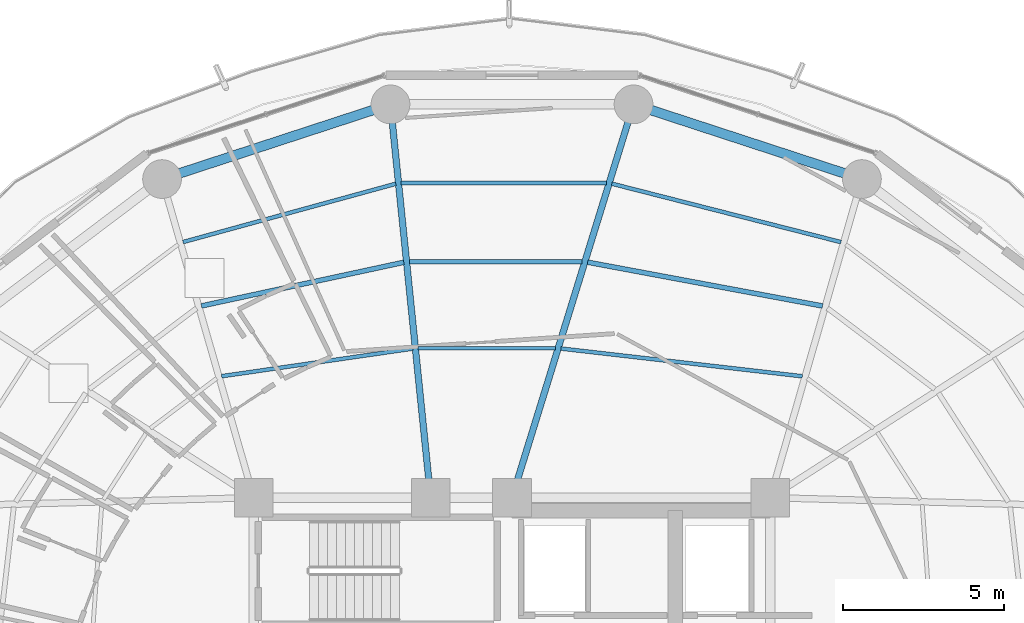
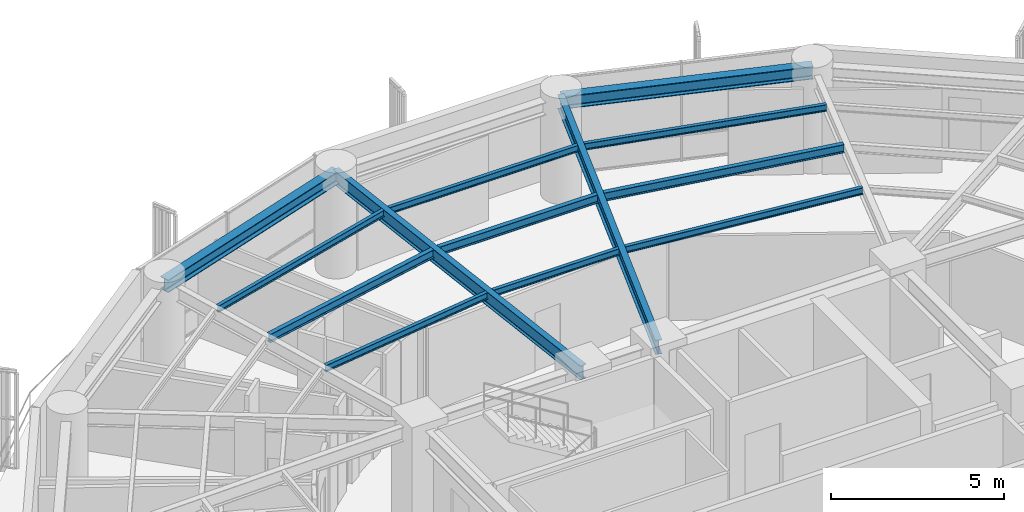
# One storey, part 17 of 28: 13 beams.
"""IFC4 building model written with IfcOpenShell, lengths in metres."""

import ifcopenshell
import ifcopenshell.guid

model = None  # the IFC model being written
_history = None  # IfcOwnerHistory: only IFC2X3 demands one
_inside = {}  # id of a spatial element -> (the spatial element, [elements in it])
_under = {}  # id of a project, library or spatial element -> (it, [spatial elements below it])
_declared = {}  # id of a project -> (the project, [libraries it declares])
_typed = {}  # id of a type object -> (the type object, [elements of that type])
_made_of = {}  # id of a material, layer set ... -> (it, [elements and type objects made of it])


def new_model(schema):
    """Start an empty IFC model of exactly this schema.

    Asked for "IFC4X3", IfcOpenShell would pick the latest addendum, in which some entities
    have other attributes; the version numbers below select the first issue.
    IFC2X3 requires an IfcOwnerHistory on every rooted entity: one is made here for all.
    """
    global model, _history
    if schema == "IFC4X3":
        model = ifcopenshell.file(schema_version=(4, 3, 0, 0))
    else:
        model = ifcopenshell.file(schema=schema)
    _inside.clear()
    _under.clear()
    _declared.clear()
    _typed.clear()
    _made_of.clear()
    _history = None
    if model.schema == "IFC2X3":
        org = make("IfcOrganization", Name="unknown")
        user = make(
            "IfcPersonAndOrganization",
            ThePerson=make("IfcPerson", FamilyName="unknown"),
            TheOrganization=org,
        )
        app = make(
            "IfcApplication",
            ApplicationDeveloper=org,
            Version="unknown",
            ApplicationFullName="unknown",
            ApplicationIdentifier="unknown",
        )
        _history = make(
            "IfcOwnerHistory",
            OwningUser=user,
            OwningApplication=app,
            ChangeAction="ADDED",
            CreationDate=0,
        )
    return model


def make(cls, **values):
    """One entity of the class cls with the attributes given. An attribute that is None is left unset."""
    return model.create_entity(
        cls, **{name: value for name, value in values.items() if value is not None}
    )


def rooted(cls, **values):
    """An entity with a GlobalId (a new one), such as an element, a storey or a relation."""
    return make(cls, GlobalId=ifcopenshell.guid.new(), OwnerHistory=_history, **values)


def si_unit(unit_type, name, prefix=None):
    """IfcSIUnit, for example si_unit("LENGTHUNIT", "METRE", prefix="MILLI")."""
    return make("IfcSIUnit", UnitType=unit_type, Prefix=prefix, Name=name)


def assignment(units):
    """IfcUnitAssignment: the units of a project."""
    return None if units is None else make("IfcUnitAssignment", Units=units)


def point(xyz):
    """IfcCartesianPoint."""
    return None if xyz is None else make("IfcCartesianPoint", Coordinates=xyz)


def direction(xyz):
    """IfcDirection."""
    return None if xyz is None else make("IfcDirection", DirectionRatios=xyz)


def frame(location, z_axis=None, x_axis=None):
    """IfcAxis2Placement3D, a coordinate frame: its origin and axes. An axis left out is left unset."""
    return make(
        "IfcAxis2Placement3D",
        Location=point(location),
        Axis=direction(z_axis),
        RefDirection=direction(x_axis),
    )


def frame_2d(location, x_axis=None):
    """IfcAxis2Placement2D, a coordinate frame in the plane: its origin and x axis."""
    return make(
        "IfcAxis2Placement2D", Location=point(location), RefDirection=direction(x_axis)
    )


def origin():
    """The frame at (0, 0, 0) with its axes left unset."""
    return frame((0.0, 0.0, 0.0))


def origin_2d():
    """The frame at (0, 0) in the plane with its x axis left unset."""
    return frame_2d((0.0, 0.0))


def place(relative_to, where):
    """IfcLocalPlacement: puts the frame where relative to a parent placement (None: the world)."""
    return make(
        "IfcLocalPlacement", PlacementRelTo=relative_to, RelativePlacement=where
    )


def context(
    kind, dimensions, precision=None, world=None, true_north=None, identifier=None
):
    """IfcGeometricRepresentationContext, for example the 3D "Model" context."""
    return make(
        "IfcGeometricRepresentationContext",
        ContextIdentifier=identifier,
        ContextType=kind,
        CoordinateSpaceDimension=dimensions,
        Precision=precision,
        WorldCoordinateSystem=world,
        TrueNorth=true_north,
    )


def subcontext(parent, identifier, kind, view, scale=None):
    """IfcGeometricRepresentationSubContext, for example "Body" below "Model"."""
    return make(
        "IfcGeometricRepresentationSubContext",
        ContextIdentifier=identifier,
        ContextType=kind,
        ParentContext=parent,
        TargetScale=scale,
        TargetView=view,
    )


def project(units=None, contexts=None):
    """IfcProject with its units and contexts."""
    return rooted(
        "IfcProject",
        Name="project",
        RepresentationContexts=contexts,
        UnitsInContext=assignment(units),
    )


def spatial(cls, under=None, at=None, **own):
    """A site, building, storey or space (cls), placed at a placement, below another one or the project."""
    s = rooted(cls, ObjectPlacement=at, **own)
    if under is not None:
        _under.setdefault(under.id(), (under, []))[1].append(s)
    return s


def profile(cls, at=None, kind="AREA", **sizes):
    """A parametric profile (cls). Its sizes go by their IFC names, for example OverallWidth=200.0."""
    return make(cls, ProfileType=kind, Position=at, **sizes)


def i_section(**sizes):
    """IfcIShapeProfileDef."""
    return profile("IfcIShapeProfileDef", **sizes)


def extrude(swept, where, along, depth):
    """IfcExtrudedAreaSolid: the profile swept, set in the frame where, extruded along a direction by depth."""
    return make(
        "IfcExtrudedAreaSolid",
        SweptArea=swept,
        Position=where,
        ExtrudedDirection=direction(along),
        Depth=depth,
    )


def shape(context_of_items, identifier, shape_type, items):
    """IfcShapeRepresentation: the items that make up one representation, for example the "Body"."""
    return make(
        "IfcShapeRepresentation",
        ContextOfItems=context_of_items,
        RepresentationIdentifier=identifier,
        RepresentationType=shape_type,
        Items=items,
    )


def material(Name=None, Category=None):
    """IfcMaterial."""
    return make("IfcMaterial", Name=Name, Category=Category)


def material_profile(
    of_material, cross_section, Name=None, Category=None, Priority=None
):
    """IfcMaterialProfile: a cross section and its material."""
    return make(
        "IfcMaterialProfile",
        Name=Name,
        Material=of_material,
        Profile=cross_section,
        Priority=Priority,
        Category=Category,
    )


def profile_set(profiles, Name=None, composite=None):
    """IfcMaterialProfileSet."""
    return make(
        "IfcMaterialProfileSet",
        Name=Name,
        MaterialProfiles=profiles,
        CompositeProfile=composite,
    )


def made_of(thing, what):
    """Note that an element or type object is made of a material, layer set ...; save() writes the relation."""
    if what is not None:
        _made_of.setdefault(what.id(), (what, []))[1].append(thing)
    return thing


def type_object(cls, material=None, **own):
    """A type object (cls), such as IfcWallType, which elements share."""
    return made_of(rooted(cls, **own), material)


def element(
    cls,
    number,
    at=None,
    inside=None,
    cuts=None,
    type_object=None,
    material=None,
    context=None,
    identifier="Body",
    shape_type=None,
    held_by="IfcProductDefinitionShape",
    body=None,
    shapes=None,
    **own,
):
    """One element of the class cls, such as IfcWall. Its Tag is "e" and its number.

    at: its placement. inside: the storey or other place that contains it. cuts: it is an
    opening in that element (IfcRelVoidsElement). A single representation is given by context,
    identifier, shape_type and body (its items); several are given by shapes. held_by: the class
    of the entity that holds the representations. save() writes the other relations.
    """
    e = rooted(cls, Tag="e%d" % number, ObjectPlacement=at, **own)
    if body is not None:
        shapes = [shape(context, identifier, shape_type, body)]
    if shapes is not None:
        e.Representation = make(held_by, Representations=shapes)
    if inside is not None:
        _inside.setdefault(inside.id(), (inside, []))[1].append(e)
    if cuts is not None:
        rooted(
            "IfcRelVoidsElement", RelatingBuildingElement=cuts, RelatedOpeningElement=e
        )
    if type_object is not None:
        _typed.setdefault(type_object.id(), (type_object, []))[1].append(e)
    return made_of(e, material)


def aggregate(whole, parts):
    """IfcRelAggregates: a whole, such as a stair, and the parts it consists of."""
    return rooted("IfcRelAggregates", RelatingObject=whole, RelatedObjects=parts)


def save(model, path):
    """Write the relations noted so far, then the file.

    IfcRelAggregates (storeys below a building ...), IfcRelContainedInSpatialStructure (elements
    in a storey), IfcRelDefinesByType, IfcRelAssociatesMaterial and IfcRelDeclares: one each for
    every whole, place, type object, material and project.
    """
    for whole, parts in _under.values():
        aggregate(whole, parts)
    for where, things in _inside.values():
        rooted(
            "IfcRelContainedInSpatialStructure",
            RelatedElements=things,
            RelatingStructure=where,
        )
    for kind, things in _typed.values():
        rooted("IfcRelDefinesByType", RelatedObjects=things, RelatingType=kind)
    for what, things in _made_of.values():
        rooted("IfcRelAssociatesMaterial", RelatedObjects=things, RelatingMaterial=what)
    for by, libraries in _declared.values():
        rooted("IfcRelDeclares", RelatingContext=by, RelatedDefinitions=libraries)
    model.write(path)


model = new_model("IFC4")

# Units and contexts
model_context = context("Model", 3, precision=1e-05, world=origin(), true_north=direction((0.0, 1.0)))
body_context = subcontext(model_context, "Body", "Model", "MODEL_VIEW")
ifc_project = project(units=[si_unit("LENGTHUNIT", "METRE"), si_unit("AREAUNIT", "SQUARE_METRE"), si_unit("VOLUMEUNIT", "CUBIC_METRE"), si_unit("PLANEANGLEUNIT", "RADIAN"), si_unit("MASSUNIT", "GRAM", prefix="KILO")], contexts=[model_context])

# Site, building, storey
site_placement = place(None, origin())
site = spatial("IfcSite", under=ifc_project, at=site_placement, CompositionType="ELEMENT")
building_placement = place(site_placement, origin())
building = spatial("IfcBuilding", under=site, at=building_placement, Name="Kelanora Arch Commons", CompositionType="ELEMENT")
storey_placement = place(building_placement, frame((0.0, 0.0, 139.35009765625)))
storey = spatial("IfcBuildingStorey", under=building, at=storey_placement, Name="L35", CompositionType="ELEMENT", Elevation=139.35009765625)

# Beams
ifc_material = material(Name="Steel S355", Category="steel")
ifc_material_profile_1 = material_profile(ifc_material, i_section(OverallWidth=0.14990234375, OverallDepth=0.300048828125, WebThickness=0.007080078125, FlangeThickness=0.0107421875, FilletRadius=0.014892578125, at=origin_2d()), Name="IPE300")
ifc_profile_set_1 = profile_set([ifc_material_profile_1], Name="Steel S355")
beam_type_1 = type_object("IfcBeamType", Name="BM-JST-01", PredefinedType="JOIST", material=ifc_profile_set_1)
beam_1_placement = place(storey_placement, frame((83.620361328125, 70.937744140625, 3.33984375), z_axis=(-0.983054256126, 0.183314837134, 0.0), x_axis=(-0.183314837134, -0.983054256126, 0.0)))
element("IfcBeam", 1, at=beam_1_placement, inside=storey, type_object=beam_type_1, Name="Secondary Chord Joist BJB-06 L35", PredefinedType="JOIST", context=body_context, shape_type="SweptSolid", body=[
    extrude(i_section(OverallWidth=0.14990234375, OverallDepth=0.300048828125, WebThickness=0.007080078125, FlangeThickness=0.0107421875, FilletRadius=0.014892578125, at=origin_2d()), origin(), (0.0, 0.0, 1.0), 7.403564453125),
])
beam_2_placement = place(storey_placement, frame((76.173828125, 72.310546875, 3.33984375), z_axis=(-1.0, 0.0, 0.0), x_axis=(0.0, -1.0, 0.0)))
element("IfcBeam", 2, at=beam_2_placement, inside=storey, type_object=beam_type_1, Name="Secondary Chord Joist BJB-08 L35", PredefinedType="JOIST", context=body_context, shape_type="SweptSolid", body=[
    extrude(i_section(OverallWidth=0.14990234375, OverallDepth=0.300048828125, WebThickness=0.007080078125, FlangeThickness=0.0107421875, FilletRadius=0.014892578125, at=origin_2d()), origin(), (0.0, 0.0, 1.0), 5.355712890625),
])
beam_3_placement = place(storey_placement, frame((70.650146484375, 72.29248046875, 3.33984375), z_axis=(-0.977521966827, -0.210833594029, 0.0), x_axis=(0.210833594029, -0.977521966827, 0.0)))
element("IfcBeam", 3, at=beam_3_placement, inside=storey, type_object=beam_type_1, Name="Secondary Chord Joist BJB-10 L35", PredefinedType="JOIST", context=body_context, shape_type="SweptSolid", body=[
    extrude(i_section(OverallWidth=0.14990234375, OverallDepth=0.300048828125, WebThickness=0.007080078125, FlangeThickness=0.0107421875, FilletRadius=0.014892578125, at=origin_2d()), origin(), (0.0, 0.0, 1.0), 6.415283203125),
])
ifc_material_profile_2 = material_profile(ifc_material, i_section(OverallWidth=0.1201171875, OverallDepth=0.239990234375, WebThickness=0.006103515625, FlangeThickness=0.009765625, FilletRadius=0.014892578125, at=origin_2d()), Name="IPE240")
ifc_profile_set_2 = profile_set([ifc_material_profile_2], Name="Steel S355")
beam_type_2 = type_object("IfcBeamType", Name="BM-JST-02", PredefinedType="JOIST", material=ifc_profile_set_2)
beam_4_placement = place(storey_placement, frame((82.994873046875, 68.760498046875, 3.369873046875), z_axis=(-0.993457414184, 0.114203179475, 0.0), x_axis=(-0.114203179475, -0.993457414184, 0.0)))
element("IfcBeam", 4, at=beam_4_placement, inside=storey, type_object=beam_type_2, Name="Secondary Chord Joist BJA-06 L35", PredefinedType="JOIST", context=body_context, shape_type="SweptSolid", body=[
    extrude(i_section(OverallWidth=0.1201171875, OverallDepth=0.239990234375, WebThickness=0.006103515625, FlangeThickness=0.009765625, FilletRadius=0.014892578125, at=origin_2d()), origin(), (0.0, 0.0, 1.0), 7.529296875),
])
beam_5_placement = place(storey_placement, frame((84.189697265625, 72.917236328125, 3.369873046875), z_axis=(-0.96900232943, 0.247051584815, 0.0), x_axis=(-0.247051584815, -0.96900232943, 0.0)))
element("IfcBeam", 5, at=beam_5_placement, inside=storey, type_object=beam_type_2, Name="Secondary Chord Joist BJC-06 L35", PredefinedType="JOIST", context=body_context, shape_type="SweptSolid", body=[
    extrude(i_section(OverallWidth=0.1201171875, OverallDepth=0.239990234375, WebThickness=0.006103515625, FlangeThickness=0.009765625, FilletRadius=0.014892578125, at=origin_2d()), origin(), (0.0, 0.0, 1.0), 7.32275390625),
])
beam_6_placement = place(storey_placement, frame((75.345703125, 69.6298828125, 3.369873046875), z_axis=(-1.0, 0.0, 0.0), x_axis=(0.0, -1.0, 0.0)))
element("IfcBeam", 6, at=beam_6_placement, inside=storey, type_object=beam_type_2, Name="Secondary Chord Joist BJA-08 L35", PredefinedType="JOIST", context=body_context, shape_type="SweptSolid", body=[
    extrude(i_section(OverallWidth=0.1201171875, OverallDepth=0.239990234375, WebThickness=0.006103515625, FlangeThickness=0.009765625, FilletRadius=0.014892578125, at=origin_2d()), origin(), (0.0, 0.0, 1.0), 4.253662109375),
])
beam_7_placement = place(storey_placement, frame((76.9267578125, 74.747314453125, 3.369873046875), z_axis=(-1.0, 0.0, 0.0), x_axis=(0.0, -1.0, 0.0)))
element("IfcBeam", 7, at=beam_7_placement, inside=storey, type_object=beam_type_2, Name="Secondary Chord Joist BJC-08 L35", PredefinedType="JOIST", context=body_context, shape_type="SweptSolid", body=[
    extrude(i_section(OverallWidth=0.1201171875, OverallDepth=0.239990234375, WebThickness=0.006103515625, FlangeThickness=0.009765625, FilletRadius=0.014892578125, at=origin_2d()), origin(), (0.0, 0.0, 1.0), 6.357666015625),
])
beam_8_placement = place(storey_placement, frame((70.9228515625, 69.617919921875, 3.369873046875), z_axis=(-0.989718726051, -0.143027421508, 0.0), x_axis=(0.143027421508, -0.989718726051, 0.0)))
element("IfcBeam", 8, at=beam_8_placement, inside=storey, type_object=beam_type_2, Name="Secondary Chord Joist BJA-10 L35", PredefinedType="JOIST", context=body_context, shape_type="SweptSolid", body=[
    extrude(i_section(OverallWidth=0.1201171875, OverallDepth=0.239990234375, WebThickness=0.006103515625, FlangeThickness=0.009765625, FilletRadius=0.014892578125, at=origin_2d()), origin(), (0.0, 0.0, 1.0), 5.9794921875),
])
beam_9_placement = place(storey_placement, frame((70.40234375, 74.724853515625, 3.369873046875), z_axis=(-0.964456541131, -0.264241518824, 0.0), x_axis=(0.264241518824, -0.964456541131, 0.0)))
element("IfcBeam", 9, at=beam_9_placement, inside=storey, type_object=beam_type_2, Name="Secondary Chord Joist BJC-10 L35", PredefinedType="JOIST", context=body_context, shape_type="SweptSolid", body=[
    extrude(i_section(OverallWidth=0.1201171875, OverallDepth=0.239990234375, WebThickness=0.006103515625, FlangeThickness=0.009765625, FilletRadius=0.014892578125, at=origin_2d()), origin(), (0.0, 0.0, 1.0), 6.835205078125),
])
ifc_material_profile_3 = material_profile(ifc_material, i_section(OverallWidth=0.199951171875, OverallDepth=0.5, WebThickness=0.01025390625, FlangeThickness=0.01611328125, FilletRadius=0.02099609375, at=origin_2d()), Name="IPE500")
ifc_profile_set_3 = profile_set([ifc_material_profile_3], Name="Steel S355")
beam_type_3 = type_object("IfcBeamType", Name="BM-RAD-Z3", PredefinedType="BEAM", material=ifc_profile_set_3)
beam_10_placement = place(storey_placement, frame((74.0, 65.0, 3.239990234375), z_axis=(0.295210315095, 0.955432294755, 0.0), x_axis=(-0.955432294755, 0.295210315095, 0.0)))
element("IfcBeam", 10, at=beam_10_placement, inside=storey, type_object=beam_type_3, Name="Radial Floor Girder BR-08 L35", PredefinedType="BEAM", context=body_context, shape_type="SweptSolid", body=[
    extrude(i_section(OverallWidth=0.199951171875, OverallDepth=0.5, WebThickness=0.01025390625, FlangeThickness=0.01611328125, FilletRadius=0.02099609375, at=origin_2d()), origin(), (0.0, 0.0, 1.0), 12.75244140625),
])
beam_11_placement = place(storey_placement, frame((71.47998046875, 65.0, 3.239990234375), z_axis=(-0.101623200789, 0.994822961668, 0.0), x_axis=(-0.994822961668, -0.101623200789, 0.0)))
element("IfcBeam", 11, at=beam_11_placement, inside=storey, type_object=beam_type_3, Name="Radial Floor Girder BR-10 L35", PredefinedType="BEAM", context=body_context, shape_type="SweptSolid", body=[
    extrude(i_section(OverallWidth=0.199951171875, OverallDepth=0.5, WebThickness=0.01025390625, FlangeThickness=0.01611328125, FilletRadius=0.02099609375, at=origin_2d()), origin(), (0.0, 0.0, 1.0), 12.24755859375),
])
ifc_material_profile_4 = material_profile(ifc_material, i_section(OverallWidth=0.300048828125, OverallDepth=0.449951171875, WebThickness=0.013916015625, FlangeThickness=0.02587890625, FilletRadius=0.027099609375, at=origin_2d()), Name="HEB450")
ifc_profile_set_4 = profile_set([ifc_material_profile_4], Name="Steel S355")
beam_type_4 = type_object("IfcBeamType", Name="BM-SPN-Z3", PredefinedType="SPANDREL", material=ifc_profile_set_4)
for number, where, z_axis, x_axis, name in (
    (12, (84.840087890625, 74.8701171875, 3.264892578125), (-0.950461975786, 0.310840847676, 0.0), (-0.310840847676, -0.950461975786, 0.0), "Perimeter Spandrel Beam BS-06 L35"),
    (13, (70.2353515625, 77.18408203125, 3.264892578125), (-0.950461975786, -0.310840847676, 0.0), (0.310840847676, -0.950461975786, 0.0), "Perimeter Spandrel Beam BS-10 L35"),
):
    element("IfcBeam", number, at=place(storey_placement, frame(where, z_axis=z_axis, x_axis=x_axis)), inside=storey, type_object=beam_type_4, Name=name, PredefinedType="SPANDREL", context=body_context, shape_type="SweptSolid", body=[
        extrude(i_section(OverallWidth=0.300048828125, OverallDepth=0.449951171875, WebThickness=0.013916015625, FlangeThickness=0.02587890625, FilletRadius=0.027099609375, at=origin_2d()), origin(), (0.0, 0.0, 1.0), 7.444091796875),
    ])

save(model, "model.ifc")
